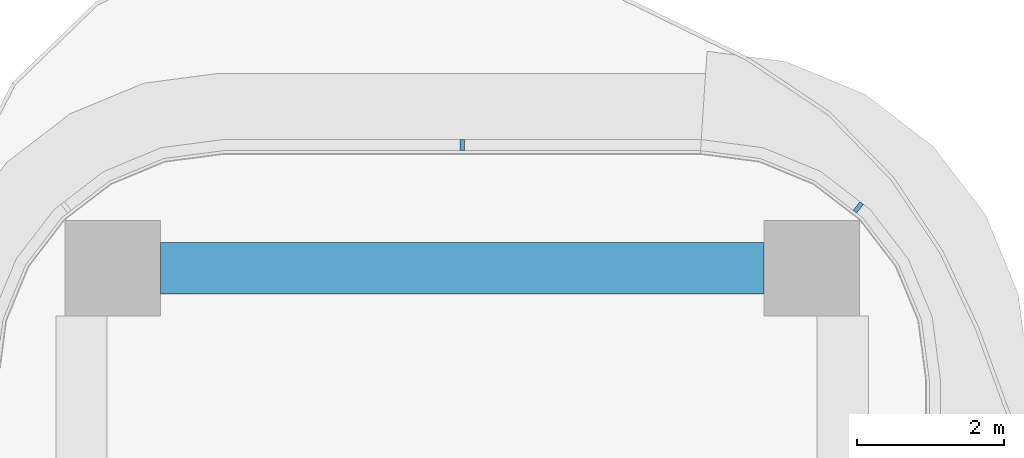
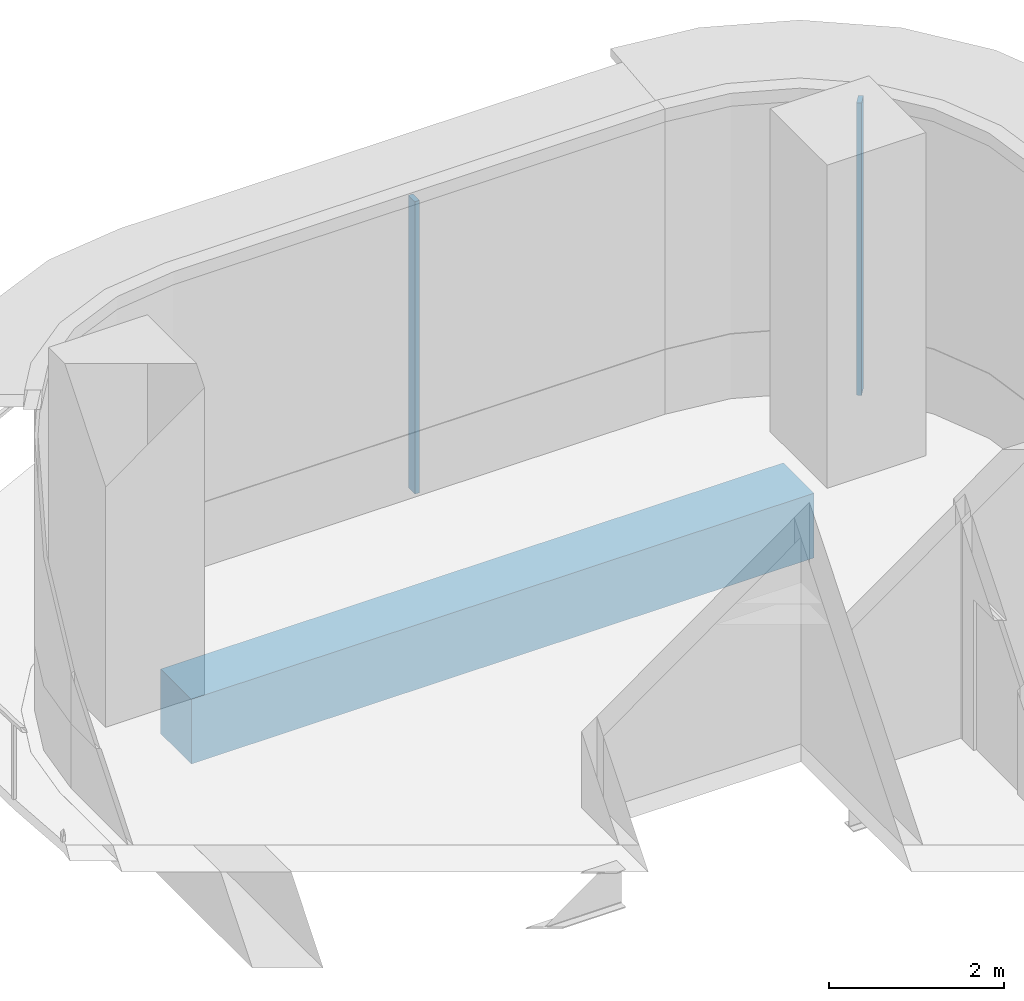
# One storey, part 12 of 21: 2 members, 1 beam, 2 elements without a shape of their own.
"""IFC4 building model written with IfcOpenShell, lengths in metres."""

from ifc_helpers import new_model, si_unit, direction, frame, origin, origin_2d, place, context, subcontext, project, spatial, rectangle, extrude, source, transform, mapped, material, layer, layer_set, material_profile, profile_set, type_object, element, aggregate, save


model = new_model("IFC4")

# Units and contexts
model_context = context("Model", 3, precision=1e-05, world=origin(), true_north=direction((0.0, 1.0)))
body_context = subcontext(model_context, "Body", "Model", "MODEL_VIEW")
ifc_project = project(units=[si_unit("LENGTHUNIT", "METRE"), si_unit("AREAUNIT", "SQUARE_METRE"), si_unit("VOLUMEUNIT", "CUBIC_METRE"), si_unit("PLANEANGLEUNIT", "RADIAN"), si_unit("MASSUNIT", "GRAM", prefix="KILO")], contexts=[model_context])

# Site, building, storey
site_placement = place(None, origin())
site = spatial("IfcSite", under=ifc_project, at=site_placement, CompositionType="ELEMENT")
building_placement = place(site_placement, origin())
building = spatial("IfcBuilding", under=site, at=building_placement, Name="Trellis Farm Tower", CompositionType="ELEMENT")
storey_placement = place(building_placement, frame((0.0, 0.0, 102.0)))
storey = spatial("IfcBuildingStorey", under=building, at=storey_placement, Name="L21", CompositionType="ELEMENT", Elevation=102.0)

# Beam
ifc_material_1 = material(Name="Concrete C60/75", Category="concrete")
ifc_material_profile_1 = material_profile(ifc_material_1, rectangle(XDim=0.699951171875, YDim=0.89990234375, at=origin_2d()), Name="RC spandrel beam 700x900 C60/75")
ifc_profile_set_1 = profile_set([ifc_material_profile_1], Name="Concrete C60/75")
beam_type = type_object("IfcBeamType", Name="RC spandrel beam 700x900 C60/75", PredefinedType="SPANDREL", material=ifc_profile_set_1)
shared_shape_1 = source(origin(), body_context, "Body", "SweptSolid", [
    extrude(rectangle(XDim=0.699951171875, YDim=0.89990234375, at=origin_2d()), origin(), (0.0, 0.0, 1.0), 8.2001953125),
])
beam_placement = place(storey_placement, frame((-4.10009765625, 24.25, -0.699951171875), z_axis=(1.0, 0.0, 0.0), x_axis=(0.0, 1.0, 0.0)))
element("IfcBeam", 1, at=beam_placement, inside=storey, type_object=beam_type, Name="Girder", PredefinedType="SPANDREL", context=body_context, shape_type="MappedRepresentation", body=[
    mapped(shared_shape_1, transform((0.0, 0.0, 0.0))),
])

# Curtain wall, member
ifc_material_2 = material(Name="Aluminium and glass curtain wall", Category="aluminium")
ifc_layer = layer(ifc_material_2, 0.18994140625)
ifc_layer_set = layer_set([ifc_layer], Name="RIBBON CURTAIN WALL CW1")
curtain_wall_type = type_object("IfcCurtainWallType", Name="RIBBON CURTAIN WALL CW1", PredefinedType="NOTDEFINED", material=ifc_layer_set)
placement = place(storey_placement, origin())
curtain_wall_1 = element("IfcCurtainWall", 2, at=placement, inside=storey, type_object=curtain_wall_type, Name="CW1 009", PredefinedType="NOTDEFINED")
ifc_material_3 = material(Name="Aluminium extrusion 6063-T6", Category="aluminium")
ifc_material_profile_2 = material_profile(ifc_material_3, rectangle(XDim=0.06005859375, YDim=0.14990234375, at=origin_2d()), Name="MULLION 60x150")
ifc_profile_set_2 = profile_set([ifc_material_profile_2], Name="Aluminium extrusion 6063-T6")
member_type = type_object("IfcMemberType", Name="CW1 MULLION 60x150", PredefinedType="MULLION", material=ifc_profile_set_2)
shared_shape_2 = source(origin(), body_context, "Body", "SweptSolid", [
    extrude(rectangle(XDim=0.06005859375, YDim=0.14990234375, at=origin_2d()), origin(), (0.0, 0.0, 1.0), 4.070068359375),
])
member_1_placement = place(storey_placement, frame((5.385498046875, 25.078369140625, 0.0), z_axis=(0.0, 0.0, 1.0), x_axis=(-0.793353340291, 0.608761429009, 0.0)))
member_1 = element("IfcMember", 3, at=member_1_placement, type_object=member_type, Name="MU1 009-03", PredefinedType="MULLION", context=body_context, shape_type="MappedRepresentation", body=[
    mapped(shared_shape_2, transform((0.0, 0.0, 0.0))),
])
aggregate(curtain_wall_1, [member_1])

curtain_wall_2 = element("IfcCurtainWall", 4, at=placement, inside=storey, type_object=curtain_wall_type, Name="CW1 010", PredefinedType="NOTDEFINED")
member_2_placement = place(storey_placement, frame((0.0, 25.925048828125, 0.0), z_axis=(0.0, 0.0, 1.0), x_axis=(-1.0, 0.0, 0.0)))
member_2 = element("IfcMember", 5, at=member_2_placement, type_object=member_type, Name="MU1 010-01", PredefinedType="MULLION", context=body_context, shape_type="MappedRepresentation", body=[
    mapped(shared_shape_2, transform((0.0, 0.0, 0.0))),
])
aggregate(curtain_wall_2, [member_2])

save(model, "model.ifc")
